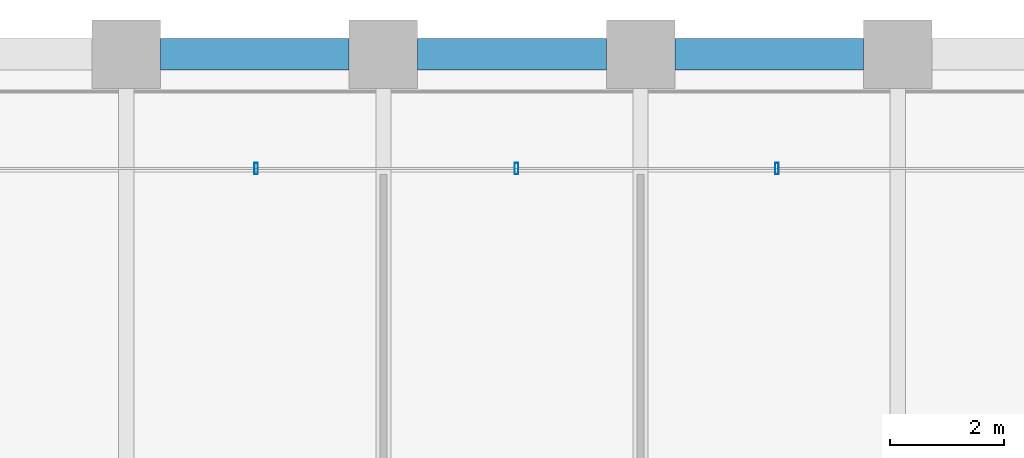
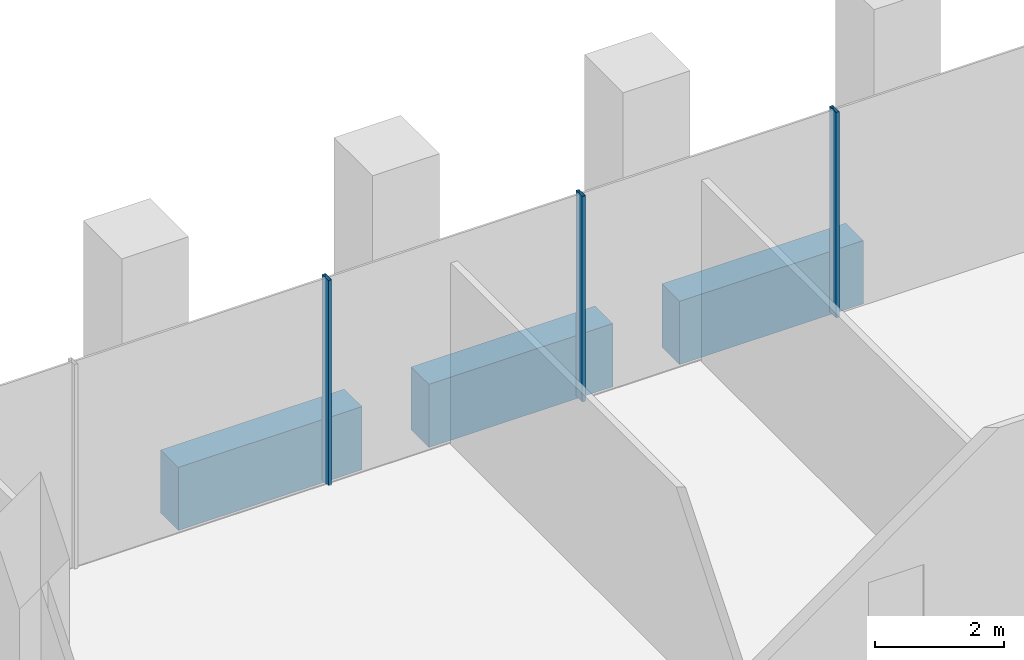
# One storey, part 16 of 36: 3 beams, 3 members, 1 element without a shape of its own.
"""IFC4 building model written with IfcOpenShell, lengths in metres."""

from ifc_helpers import new_model, si_unit, direction, frame, origin, origin_2d, place, context, subcontext, project, spatial, rectangle, hollow_rectangle, extrude, material, material_profile, profile_set, type_object, element, aggregate, save


model = new_model("IFC4")

# Units and contexts
model_context = context("Model", 3, precision=1e-05, world=origin(), true_north=direction((0.0, 1.0)))
body_context = subcontext(model_context, "Body", "Model", "MODEL_VIEW")
ifc_project = project(units=[si_unit("LENGTHUNIT", "METRE"), si_unit("AREAUNIT", "SQUARE_METRE"), si_unit("VOLUMEUNIT", "CUBIC_METRE"), si_unit("PLANEANGLEUNIT", "RADIAN"), si_unit("MASSUNIT", "GRAM", prefix="KILO")], contexts=[model_context])

# Site, building, storey
site_placement = place(None, origin())
site = spatial("IfcSite", under=ifc_project, at=site_placement, CompositionType="ELEMENT")
building_placement = place(site_placement, origin())
building = spatial("IfcBuilding", under=site, at=building_placement, Name="Altepetl Exchange Towers", CompositionType="ELEMENT")
storey_placement = place(building_placement, frame((0.0, 0.0, 38.60009765625)))
storey = spatial("IfcBuildingStorey", under=building, at=storey_placement, Name="L08", CompositionType="ELEMENT", Elevation=38.60009765625)

# Curtain wall, members
ifc_material_1 = material(Name="Aluminium 6063-T6 glazing", Category="aluminium")
curtain_wall_type = type_object("IfcCurtainWallType", Name="Trading floor glazing system", PredefinedType="NOTDEFINED", material=ifc_material_1)
curtain_wall_placement = place(storey_placement, origin())
curtain_wall = element("IfcCurtainWall", 1, at=curtain_wall_placement, inside=storey, type_object=curtain_wall_type, Name="CW2 run", PredefinedType="NOTDEFINED")
ifc_material_2 = material(Name="Aluminium 6063-T6", Category="aluminium")
ifc_material_profile_1 = material_profile(ifc_material_2, hollow_rectangle(XDim=0.06005859375, YDim=0.199951171875, WallThickness=0.0029296875, at=origin_2d()), Name="Mullion 60x200 aluminium")
ifc_profile_set_1 = profile_set([ifc_material_profile_1], Name="Aluminium 6063-T6")
member_type = type_object("IfcMemberType", Name="Mullion 60x200 aluminium", PredefinedType="MULLION", material=ifc_profile_set_1)
member_1_placement = place(storey_placement, frame((56.3857421875, 70.0, 0.0), z_axis=(0.0, 0.0, 1.0), x_axis=(-1.0, 0.0, 0.0)))
member_1 = element("IfcMember", 2, at=member_1_placement, type_object=member_type, Name="MU2 mullion", PredefinedType="MULLION", context=body_context, shape_type="SweptSolid", body=[
    extrude(hollow_rectangle(XDim=0.06005859375, YDim=0.199951171875, WallThickness=0.0029296875, at=origin_2d()), origin(), (0.0, 0.0, 1.0), 3.89990234375),
])
member_2_placement = place(storey_placement, frame((51.82861328125, 70.0, 0.0), z_axis=(0.0, 0.0, 1.0), x_axis=(-1.0, 0.0, 0.0)))
member_2 = element("IfcMember", 3, at=member_2_placement, type_object=member_type, Name="MU2 mullion", PredefinedType="MULLION", context=body_context, shape_type="SweptSolid", body=[
    extrude(hollow_rectangle(XDim=0.06005859375, YDim=0.199951171875, WallThickness=0.0029296875, at=origin_2d()), origin(), (0.0, 0.0, 1.0), 3.89990234375),
])
member_3_placement = place(storey_placement, frame((47.271484375, 70.0, 0.0), z_axis=(0.0, 0.0, 1.0), x_axis=(-1.0, 0.0, 0.0)))
member_3 = element("IfcMember", 4, at=member_3_placement, type_object=member_type, Name="MU2 mullion", PredefinedType="MULLION", context=body_context, shape_type="SweptSolid", body=[
    extrude(hollow_rectangle(XDim=0.06005859375, YDim=0.199951171875, WallThickness=0.0029296875, at=origin_2d()), origin(), (0.0, 0.0, 1.0), 3.89990234375),
])
aggregate(curtain_wall, [member_1, member_2, member_3])

# Beams
ifc_material_3 = material(Name="Concrete C50/60 precast with cantera rosa facing", Category="concrete")
ifc_material_profile_2 = material_profile(ifc_material_3, rectangle(XDim=0.550048828125, YDim=1.199951171875, at=origin_2d()), Name="550 x 1200")
ifc_profile_set_2 = profile_set([ifc_material_profile_2], Name="Concrete C50/60 precast with cantera rosa facing")
beam_type = type_object("IfcBeamType", Name="Spandrel beam 550x1200 cantera rosa", PredefinedType="SPANDREL", material=ifc_profile_set_2)
for number, where, z_axis, x_axis, name in (
    (5, (57.89990234375, 72.0, -0.775146484375), (-1.0, 0.0, 0.0), (0.0, -1.0, 0.0), "sp:A:L08:026"),
    (6, (53.39990234375, 72.0, -0.775146484375), (-1.0, 0.0, 0.0), (0.0, -1.0, 0.0), "sp:A:L08:027"),
    (7, (48.89990234375, 72.0, -0.775146484375), (-1.0, 0.0, 0.0), (0.0, -1.0, 0.0), "sp:A:L08:028"),
):
    element("IfcBeam", number, at=place(storey_placement, frame(where, z_axis=z_axis, x_axis=x_axis)), inside=storey, type_object=beam_type, Name=name, PredefinedType="SPANDREL", context=body_context, shape_type="SweptSolid", body=[
        extrude(rectangle(XDim=0.550048828125, YDim=1.199951171875, at=origin_2d()), origin(), (0.0, 0.0, 1.0), 3.2998046875),
    ])

save(model, "model.ifc")
